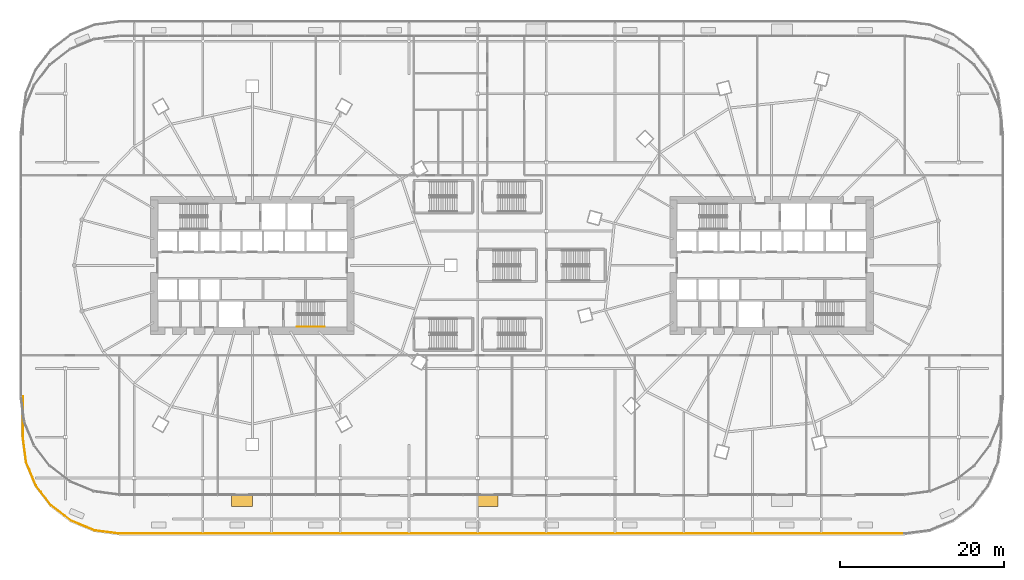
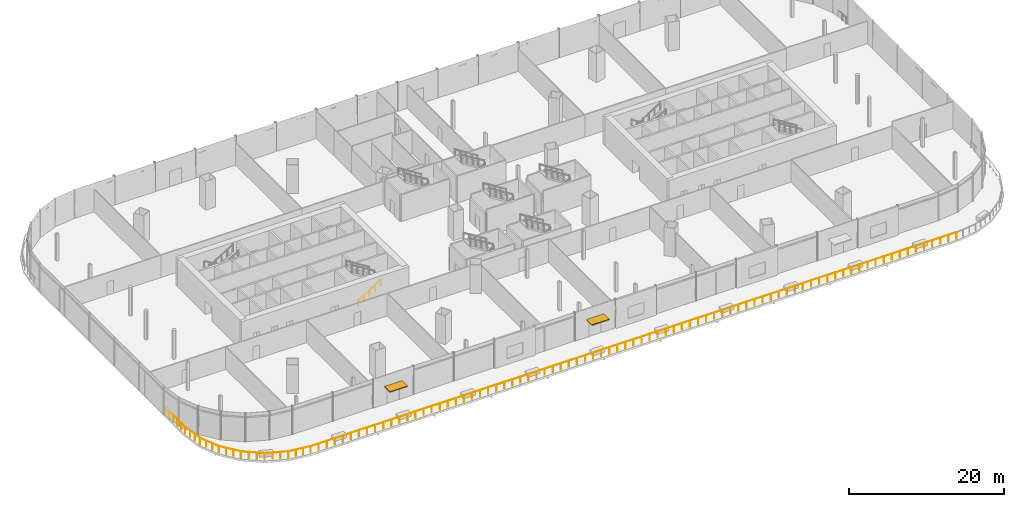
# One storey, part 43 of 52: 3 railings, 2 shading devices.
"""IFC4 building model written with IfcOpenShell, lengths in metres."""

from ifc_helpers import new_model, si_unit, direction, frame, origin, origin_2d, place, context, subcontext, project, spatial, rectangle, circle, extrude, material, layer, layer_set, type_object, element, save


model = new_model("IFC4")

# Units and contexts
model_context = context("Model", 3, precision=1e-05, world=origin(), true_north=direction((0.0, 1.0)))
body_context = subcontext(model_context, "Body", "Model", "MODEL_VIEW")
ifc_project = project(units=[si_unit("LENGTHUNIT", "METRE"), si_unit("AREAUNIT", "SQUARE_METRE"), si_unit("VOLUMEUNIT", "CUBIC_METRE"), si_unit("PLANEANGLEUNIT", "RADIAN"), si_unit("MASSUNIT", "GRAM", prefix="KILO")], contexts=[model_context])

# Site, building, storey
site_placement = place(None, origin())
site = spatial("IfcSite", under=ifc_project, at=site_placement, CompositionType="ELEMENT")
building_placement = place(site_placement, origin())
building = spatial("IfcBuilding", under=site, at=building_placement, Name="Rimbun Link Towers", CompositionType="ELEMENT")
storey_placement = place(building_placement, frame((0.0, 0.0, 21.0)))
storey = spatial("IfcBuildingStorey", under=building, at=storey_placement, Name="L04", CompositionType="ELEMENT", Elevation=21.0)

# Railings
ifc_material_1 = material(Name="Toughened laminated glass, stainless steel grade 316 posts and cap rail", Category="steel")
railing_type_1 = type_object("IfcRailingType", Name="GUARD glass balustrade with stainless cap rail", PredefinedType="BALUSTRADE", material=ifc_material_1)
railing_1_placement = place(storey_placement, frame((-59.800048828125, -16.0, 0.0)))
element("IfcRailing", 1, at=railing_1_placement, inside=storey, type_object=railing_type_1, Name="GUARD glass balustrade", PredefinedType="BALUSTRADE", context=body_context, shape_type="SweptSolid", body=[
    extrude(circle(Radius=0.02392578125, at=origin_2d()), frame((0.0, 0.0, 1.076171875), z_axis=(0.0, -1.0, 0.0), x_axis=(1.0, 0.0, 0.0)), (0.0, 0.0, 1.0), 4.98681640625),
    extrude(circle(Radius=0.02392578125, at=origin_2d()), frame((0.0, -4.98681640625, 1.076171875), z_axis=(0.130540259305, -0.991443009305, 0.0), x_axis=(0.991443009305, 0.130540259305, 0.0)), (0.0, 0.0, 1.0), 3.09326171875),
    extrude(circle(Radius=0.02392578125, at=origin_2d()), frame((0.40380859375, -8.0537109375, 1.076171875), z_axis=(0.382706499462, -0.92386997747, 0.0), x_axis=(0.92386997747, 0.382706499462, 0.0)), (0.0, 0.0, 1.0), 3.079833984375),
    extrude(circle(Radius=0.02392578125, at=origin_2d()), frame((1.58251953125, -10.899169921875, 1.076171875), z_axis=(0.608702762794, -0.793398353015, 0.0), x_axis=(0.793398353015, 0.608702762794, 0.0)), (0.0, 0.0, 1.0), 3.079833984375),
    extrude(circle(Radius=0.02392578125, at=origin_2d()), frame((3.457275390625, -13.3427734375, 1.076171875), z_axis=(0.793398353015, -0.608702762794, 0.0), x_axis=(0.608702762794, 0.793398353015, 0.0)), (0.0, 0.0, 1.0), 3.079833984375),
    extrude(circle(Radius=0.02392578125, at=origin_2d()), frame((5.90087890625, -15.217529296875, 1.076171875), z_axis=(0.92386997747, -0.382706499462, 0.0), x_axis=(0.382706499462, 0.92386997747, 0.0)), (0.0, 0.0, 1.0), 3.079833984375),
    extrude(circle(Radius=0.02392578125, at=origin_2d()), frame((8.746337890625, -16.396240234375, 1.076171875), z_axis=(0.991443009305, -0.130540259305, 0.0), x_axis=(0.130540259305, 0.991443009305, 0.0)), (0.0, 0.0, 1.0), 3.09326171875),
    extrude(circle(Radius=0.02099609375, at=origin_2d()), origin(), (0.0, 0.0, 1.0), 1.052001953125),
    extrude(circle(Radius=0.02099609375, at=origin_2d()), frame((0.0, -0.997314453125, 0.0)), (0.0, 0.0, 1.0), 1.052001953125),
    extrude(circle(Radius=0.02099609375, at=origin_2d()), frame((0.0, -1.99462890625, 0.0)), (0.0, 0.0, 1.0), 1.052001953125),
    extrude(circle(Radius=0.02099609375, at=origin_2d()), frame((0.0, -2.9921875, 0.0)), (0.0, 0.0, 1.0), 1.052001953125),
    extrude(circle(Radius=0.02099609375, at=origin_2d()), frame((0.0, -3.989501953125, 0.0)), (0.0, 0.0, 1.0), 1.052001953125),
    extrude(circle(Radius=0.02099609375, at=origin_2d()), frame((0.0, -4.98681640625, 0.0)), (0.0, 0.0, 1.0), 1.052001953125),
    extrude(circle(Radius=0.02099609375, at=origin_2d()), frame((0.134521484375, -6.009033203125, 0.0)), (0.0, 0.0, 1.0), 1.052001953125),
    extrude(circle(Radius=0.02099609375, at=origin_2d()), frame((0.269287109375, -7.031494140625, 0.0)), (0.0, 0.0, 1.0), 1.052001953125),
    extrude(circle(Radius=0.02099609375, at=origin_2d()), frame((0.40380859375, -8.0537109375, 0.0)), (0.0, 0.0, 1.0), 1.052001953125),
    extrude(circle(Radius=0.02099609375, at=origin_2d()), frame((0.796630859375, -9.002197265625, 0.0)), (0.0, 0.0, 1.0), 1.052001953125),
    extrude(circle(Radius=0.02099609375, at=origin_2d()), frame((1.189697265625, -9.95068359375, 0.0)), (0.0, 0.0, 1.0), 1.052001953125),
    extrude(circle(Radius=0.02099609375, at=origin_2d()), frame((1.58251953125, -10.899169921875, 0.0)), (0.0, 0.0, 1.0), 1.052001953125),
    extrude(circle(Radius=0.02099609375, at=origin_2d()), frame((2.20751953125, -11.713623046875, 0.0)), (0.0, 0.0, 1.0), 1.052001953125),
    extrude(circle(Radius=0.02099609375, at=origin_2d()), frame((2.832275390625, -12.5283203125, 0.0)), (0.0, 0.0, 1.0), 1.052001953125),
    extrude(circle(Radius=0.02099609375, at=origin_2d()), frame((3.457275390625, -13.3427734375, 0.0)), (0.0, 0.0, 1.0), 1.052001953125),
    extrude(circle(Radius=0.02099609375, at=origin_2d()), frame((4.271728515625, -13.9677734375, 0.0)), (0.0, 0.0, 1.0), 1.052001953125),
    extrude(circle(Radius=0.02099609375, at=origin_2d()), frame((5.08642578125, -14.592529296875, 0.0)), (0.0, 0.0, 1.0), 1.052001953125),
    extrude(circle(Radius=0.02099609375, at=origin_2d()), frame((5.90087890625, -15.217529296875, 0.0)), (0.0, 0.0, 1.0), 1.052001953125),
    extrude(circle(Radius=0.02099609375, at=origin_2d()), frame((6.849365234375, -15.6103515625, 0.0)), (0.0, 0.0, 1.0), 1.052001953125),
    extrude(circle(Radius=0.02099609375, at=origin_2d()), frame((7.7978515625, -16.00341796875, 0.0)), (0.0, 0.0, 1.0), 1.052001953125),
    extrude(circle(Radius=0.02099609375, at=origin_2d()), frame((8.746337890625, -16.396240234375, 0.0)), (0.0, 0.0, 1.0), 1.052001953125),
    extrude(circle(Radius=0.02099609375, at=origin_2d()), frame((9.7685546875, -16.53076171875, 0.0)), (0.0, 0.0, 1.0), 1.052001953125),
    extrude(circle(Radius=0.02099609375, at=origin_2d()), frame((10.791015625, -16.66552734375, 0.0)), (0.0, 0.0, 1.0), 1.052001953125),
    extrude(circle(Radius=0.02099609375, at=origin_2d()), frame((11.813232421875, -16.800048828125, 0.0)), (0.0, 0.0, 1.0), 1.052001953125),
])
railing_2_placement = place(storey_placement, frame((-47.98681640625, -32.800048828125, 0.0)))
element("IfcRailing", 2, at=railing_2_placement, inside=storey, type_object=railing_type_1, Name="GUARD glass balustrade", PredefinedType="BALUSTRADE", context=body_context, shape_type="SweptSolid", body=[
    extrude(circle(Radius=0.02392578125, at=origin_2d()), frame((0.0, 0.0, 1.076171875), z_axis=(1.0, 0.0, 0.0), x_axis=(0.0, 1.0, 0.0)), (0.0, 0.0, 1.0), 95.9736328125),
    extrude(circle(Radius=0.02099609375, at=origin_2d()), origin(), (0.0, 0.0, 1.0), 1.052001953125),
    extrude(circle(Radius=0.02099609375, at=origin_2d()), frame((1.19970703125, 0.0, 0.0)), (0.0, 0.0, 1.0), 1.052001953125),
    extrude(circle(Radius=0.02099609375, at=origin_2d()), frame((2.3994140625, 0.0, 0.0)), (0.0, 0.0, 1.0), 1.052001953125),
    extrude(circle(Radius=0.02099609375, at=origin_2d()), frame((3.59912109375, 0.0, 0.0)), (0.0, 0.0, 1.0), 1.052001953125),
    extrude(circle(Radius=0.02099609375, at=origin_2d()), frame((4.798583984375, 0.0, 0.0)), (0.0, 0.0, 1.0), 1.052001953125),
    extrude(circle(Radius=0.02099609375, at=origin_2d()), frame((5.998291015625, 0.0, 0.0)), (0.0, 0.0, 1.0), 1.052001953125),
    extrude(circle(Radius=0.02099609375, at=origin_2d()), frame((7.197998046875, 0.0, 0.0)), (0.0, 0.0, 1.0), 1.052001953125),
    extrude(circle(Radius=0.02099609375, at=origin_2d()), frame((8.397705078125, 0.0, 0.0)), (0.0, 0.0, 1.0), 1.052001953125),
    extrude(circle(Radius=0.02099609375, at=origin_2d()), frame((9.597412109375, 0.0, 0.0)), (0.0, 0.0, 1.0), 1.052001953125),
    extrude(circle(Radius=0.02099609375, at=origin_2d()), frame((10.797119140625, 0.0, 0.0)), (0.0, 0.0, 1.0), 1.052001953125),
    extrude(circle(Radius=0.02099609375, at=origin_2d()), frame((11.99658203125, 0.0, 0.0)), (0.0, 0.0, 1.0), 1.052001953125),
    extrude(circle(Radius=0.02099609375, at=origin_2d()), frame((13.1962890625, 0.0, 0.0)), (0.0, 0.0, 1.0), 1.052001953125),
    extrude(circle(Radius=0.02099609375, at=origin_2d()), frame((14.39599609375, 0.0, 0.0)), (0.0, 0.0, 1.0), 1.052001953125),
    extrude(circle(Radius=0.02099609375, at=origin_2d()), frame((15.595703125, 0.0, 0.0)), (0.0, 0.0, 1.0), 1.052001953125),
    extrude(circle(Radius=0.02099609375, at=origin_2d()), frame((16.79541015625, 0.0, 0.0)), (0.0, 0.0, 1.0), 1.052001953125),
    extrude(circle(Radius=0.02099609375, at=origin_2d()), frame((17.9951171875, 0.0, 0.0)), (0.0, 0.0, 1.0), 1.052001953125),
    extrude(circle(Radius=0.02099609375, at=origin_2d()), frame((19.19482421875, 0.0, 0.0)), (0.0, 0.0, 1.0), 1.052001953125),
    extrude(circle(Radius=0.02099609375, at=origin_2d()), frame((20.394287109375, 0.0, 0.0)), (0.0, 0.0, 1.0), 1.052001953125),
    extrude(circle(Radius=0.02099609375, at=origin_2d()), frame((21.593994140625, 0.0, 0.0)), (0.0, 0.0, 1.0), 1.052001953125),
    extrude(circle(Radius=0.02099609375, at=origin_2d()), frame((22.793701171875, 0.0, 0.0)), (0.0, 0.0, 1.0), 1.052001953125),
    extrude(circle(Radius=0.02099609375, at=origin_2d()), frame((23.993408203125, 0.0, 0.0)), (0.0, 0.0, 1.0), 1.052001953125),
    extrude(circle(Radius=0.02099609375, at=origin_2d()), frame((25.193115234375, 0.0, 0.0)), (0.0, 0.0, 1.0), 1.052001953125),
    extrude(circle(Radius=0.02099609375, at=origin_2d()), frame((26.392822265625, 0.0, 0.0)), (0.0, 0.0, 1.0), 1.052001953125),
    extrude(circle(Radius=0.02099609375, at=origin_2d()), frame((27.592529296875, 0.0, 0.0)), (0.0, 0.0, 1.0), 1.052001953125),
    extrude(circle(Radius=0.02099609375, at=origin_2d()), frame((28.7919921875, 0.0, 0.0)), (0.0, 0.0, 1.0), 1.052001953125),
    extrude(circle(Radius=0.02099609375, at=origin_2d()), frame((29.99169921875, 0.0, 0.0)), (0.0, 0.0, 1.0), 1.052001953125),
    extrude(circle(Radius=0.02099609375, at=origin_2d()), frame((31.19140625, 0.0, 0.0)), (0.0, 0.0, 1.0), 1.052001953125),
    extrude(circle(Radius=0.02099609375, at=origin_2d()), frame((32.39111328125, 0.0, 0.0)), (0.0, 0.0, 1.0), 1.052001953125),
    extrude(circle(Radius=0.02099609375, at=origin_2d()), frame((33.5908203125, 0.0, 0.0)), (0.0, 0.0, 1.0), 1.052001953125),
    extrude(circle(Radius=0.02099609375, at=origin_2d()), frame((34.79052734375, 0.0, 0.0)), (0.0, 0.0, 1.0), 1.052001953125),
    extrude(circle(Radius=0.02099609375, at=origin_2d()), frame((35.990234375, 0.0, 0.0)), (0.0, 0.0, 1.0), 1.052001953125),
    extrude(circle(Radius=0.02099609375, at=origin_2d()), frame((37.189697265625, 0.0, 0.0)), (0.0, 0.0, 1.0), 1.052001953125),
    extrude(circle(Radius=0.02099609375, at=origin_2d()), frame((38.389404296875, 0.0, 0.0)), (0.0, 0.0, 1.0), 1.052001953125),
    extrude(circle(Radius=0.02099609375, at=origin_2d()), frame((39.589111328125, 0.0, 0.0)), (0.0, 0.0, 1.0), 1.052001953125),
    extrude(circle(Radius=0.02099609375, at=origin_2d()), frame((40.788818359375, 0.0, 0.0)), (0.0, 0.0, 1.0), 1.052001953125),
    extrude(circle(Radius=0.02099609375, at=origin_2d()), frame((41.988525390625, 0.0, 0.0)), (0.0, 0.0, 1.0), 1.052001953125),
    extrude(circle(Radius=0.02099609375, at=origin_2d()), frame((43.188232421875, 0.0, 0.0)), (0.0, 0.0, 1.0), 1.052001953125),
    extrude(circle(Radius=0.02099609375, at=origin_2d()), frame((44.3876953125, 0.0, 0.0)), (0.0, 0.0, 1.0), 1.052001953125),
    extrude(circle(Radius=0.02099609375, at=origin_2d()), frame((45.58740234375, 0.0, 0.0)), (0.0, 0.0, 1.0), 1.052001953125),
    extrude(circle(Radius=0.02099609375, at=origin_2d()), frame((46.787109375, 0.0, 0.0)), (0.0, 0.0, 1.0), 1.052001953125),
    extrude(circle(Radius=0.02099609375, at=origin_2d()), frame((47.98681640625, 0.0, 0.0)), (0.0, 0.0, 1.0), 1.052001953125),
    extrude(circle(Radius=0.02099609375, at=origin_2d()), frame((49.1865234375, 0.0, 0.0)), (0.0, 0.0, 1.0), 1.052001953125),
    extrude(circle(Radius=0.02099609375, at=origin_2d()), frame((50.38623046875, 0.0, 0.0)), (0.0, 0.0, 1.0), 1.052001953125),
    extrude(circle(Radius=0.02099609375, at=origin_2d()), frame((51.5859375, 0.0, 0.0)), (0.0, 0.0, 1.0), 1.052001953125),
    extrude(circle(Radius=0.02099609375, at=origin_2d()), frame((52.785400390625, 0.0, 0.0)), (0.0, 0.0, 1.0), 1.052001953125),
    extrude(circle(Radius=0.02099609375, at=origin_2d()), frame((53.985107421875, 0.0, 0.0)), (0.0, 0.0, 1.0), 1.052001953125),
    extrude(circle(Radius=0.02099609375, at=origin_2d()), frame((55.184814453125, 0.0, 0.0)), (0.0, 0.0, 1.0), 1.052001953125),
    extrude(circle(Radius=0.02099609375, at=origin_2d()), frame((56.384521484375, 0.0, 0.0)), (0.0, 0.0, 1.0), 1.052001953125),
    extrude(circle(Radius=0.02099609375, at=origin_2d()), frame((57.584228515625, 0.0, 0.0)), (0.0, 0.0, 1.0), 1.052001953125),
    extrude(circle(Radius=0.02099609375, at=origin_2d()), frame((58.783935546875, 0.0, 0.0)), (0.0, 0.0, 1.0), 1.052001953125),
    extrude(circle(Radius=0.02099609375, at=origin_2d()), frame((59.9833984375, 0.0, 0.0)), (0.0, 0.0, 1.0), 1.052001953125),
    extrude(circle(Radius=0.02099609375, at=origin_2d()), frame((61.18310546875, 0.0, 0.0)), (0.0, 0.0, 1.0), 1.052001953125),
    extrude(circle(Radius=0.02099609375, at=origin_2d()), frame((62.3828125, 0.0, 0.0)), (0.0, 0.0, 1.0), 1.052001953125),
    extrude(circle(Radius=0.02099609375, at=origin_2d()), frame((63.58251953125, 0.0, 0.0)), (0.0, 0.0, 1.0), 1.052001953125),
    extrude(circle(Radius=0.02099609375, at=origin_2d()), frame((64.7822265625, 0.0, 0.0)), (0.0, 0.0, 1.0), 1.052001953125),
    extrude(circle(Radius=0.02099609375, at=origin_2d()), frame((65.98193359375, 0.0, 0.0)), (0.0, 0.0, 1.0), 1.052001953125),
    extrude(circle(Radius=0.02099609375, at=origin_2d()), frame((67.181640625, 0.0, 0.0)), (0.0, 0.0, 1.0), 1.052001953125),
    extrude(circle(Radius=0.02099609375, at=origin_2d()), frame((68.381103515625, 0.0, 0.0)), (0.0, 0.0, 1.0), 1.052001953125),
    extrude(circle(Radius=0.02099609375, at=origin_2d()), frame((69.580810546875, 0.0, 0.0)), (0.0, 0.0, 1.0), 1.052001953125),
    extrude(circle(Radius=0.02099609375, at=origin_2d()), frame((70.780517578125, 0.0, 0.0)), (0.0, 0.0, 1.0), 1.052001953125),
    extrude(circle(Radius=0.02099609375, at=origin_2d()), frame((71.980224609375, 0.0, 0.0)), (0.0, 0.0, 1.0), 1.052001953125),
    extrude(circle(Radius=0.02099609375, at=origin_2d()), frame((73.179931640625, 0.0, 0.0)), (0.0, 0.0, 1.0), 1.052001953125),
    extrude(circle(Radius=0.02099609375, at=origin_2d()), frame((74.379638671875, 0.0, 0.0)), (0.0, 0.0, 1.0), 1.052001953125),
    extrude(circle(Radius=0.02099609375, at=origin_2d()), frame((75.579345703125, 0.0, 0.0)), (0.0, 0.0, 1.0), 1.052001953125),
    extrude(circle(Radius=0.02099609375, at=origin_2d()), frame((76.77880859375, 0.0, 0.0)), (0.0, 0.0, 1.0), 1.052001953125),
    extrude(circle(Radius=0.02099609375, at=origin_2d()), frame((77.978515625, 0.0, 0.0)), (0.0, 0.0, 1.0), 1.052001953125),
    extrude(circle(Radius=0.02099609375, at=origin_2d()), frame((79.17822265625, 0.0, 0.0)), (0.0, 0.0, 1.0), 1.052001953125),
    extrude(circle(Radius=0.02099609375, at=origin_2d()), frame((80.3779296875, 0.0, 0.0)), (0.0, 0.0, 1.0), 1.052001953125),
    extrude(circle(Radius=0.02099609375, at=origin_2d()), frame((81.57763671875, 0.0, 0.0)), (0.0, 0.0, 1.0), 1.052001953125),
    extrude(circle(Radius=0.02099609375, at=origin_2d()), frame((82.77734375, 0.0, 0.0)), (0.0, 0.0, 1.0), 1.052001953125),
    extrude(circle(Radius=0.02099609375, at=origin_2d()), frame((83.97705078125, 0.0, 0.0)), (0.0, 0.0, 1.0), 1.052001953125),
    extrude(circle(Radius=0.02099609375, at=origin_2d()), frame((85.176513671875, 0.0, 0.0)), (0.0, 0.0, 1.0), 1.052001953125),
    extrude(circle(Radius=0.02099609375, at=origin_2d()), frame((86.376220703125, 0.0, 0.0)), (0.0, 0.0, 1.0), 1.052001953125),
    extrude(circle(Radius=0.02099609375, at=origin_2d()), frame((87.575927734375, 0.0, 0.0)), (0.0, 0.0, 1.0), 1.052001953125),
    extrude(circle(Radius=0.02099609375, at=origin_2d()), frame((88.775634765625, 0.0, 0.0)), (0.0, 0.0, 1.0), 1.052001953125),
    extrude(circle(Radius=0.02099609375, at=origin_2d()), frame((89.975341796875, 0.0, 0.0)), (0.0, 0.0, 1.0), 1.052001953125),
    extrude(circle(Radius=0.02099609375, at=origin_2d()), frame((91.175048828125, 0.0, 0.0)), (0.0, 0.0, 1.0), 1.052001953125),
    extrude(circle(Radius=0.02099609375, at=origin_2d()), frame((92.37451171875, 0.0, 0.0)), (0.0, 0.0, 1.0), 1.052001953125),
    extrude(circle(Radius=0.02099609375, at=origin_2d()), frame((93.57421875, 0.0, 0.0)), (0.0, 0.0, 1.0), 1.052001953125),
    extrude(circle(Radius=0.02099609375, at=origin_2d()), frame((94.77392578125, 0.0, 0.0)), (0.0, 0.0, 1.0), 1.052001953125),
    extrude(circle(Radius=0.02099609375, at=origin_2d()), frame((95.9736328125, 0.0, 0.0)), (0.0, 0.0, 1.0), 1.052001953125),
])

# Shading devices
ifc_material_2 = material(Name="Aluminium 6063-T6 louvre blades in a powder-coated aluminium frame", Category="aluminium")
ifc_layer = layer(ifc_material_2, 0.139892578125)
ifc_layer_set = layer_set([ifc_layer], Name="RAIN CANOPY louvre blades 2600X1400")
shading_device_type = type_object("IfcShadingDeviceType", Name="RAIN CANOPY louvre blades 2600X1400", PredefinedType="AWNING", material=ifc_layer_set)
for number, where, z_axis, x_axis, name in (
    (3, (-33.0, -28.800048828125, 2.7001953125), (0.0, 0.0, 1.0), (-1.0, 0.0, 0.0), "RAIN CANOPY over terrace door"),
    (4, (-3.0, -28.800048828125, 2.7001953125), (0.0, 0.0, 1.0), (-1.0, 0.0, 0.0), "RAIN CANOPY over terrace door"),
):
    element("IfcShadingDevice", number, at=place(storey_placement, frame(where, z_axis=z_axis, x_axis=x_axis)), inside=storey, type_object=shading_device_type, Name=name, PredefinedType="AWNING", context=body_context, shape_type="SweptSolid", body=[
        extrude(rectangle(XDim=2.60009765625, YDim=1.39990234375, at=origin_2d()), origin(), (0.0, 0.0, 1.0), 0.139892578125),
    ])

# Railing
ifc_material_3 = material(Name="Stainless steel grade 316", Category="steel")
railing_type_2 = type_object("IfcRailingType", Name="Stair handrail", PredefinedType="HANDRAIL", material=ifc_material_3)
railing_3_placement = place(storey_placement, frame((-26.300048828125, -7.5, 0.173095703125)))
element("IfcRailing", 5, at=railing_3_placement, inside=storey, type_object=railing_type_2, Name="L04 ST2 stair handrail 1", PredefinedType="HANDRAIL", context=body_context, shape_type="SweptSolid", body=[
    extrude(circle(Radius=0.02392578125, at=origin_2d()), frame((0.0, 0.0, 0.8759765625), z_axis=(0.850623216509, 0.0, 0.525775754039), x_axis=(0.0, 1.0, 0.0)), (0.0, 0.0, 1.0), 3.9501953125),
    extrude(circle(Radius=0.02099609375, at=origin_2d()), origin(), (0.0, 0.0, 1.0), 0.851806640625),
    extrude(circle(Radius=0.02099609375, at=origin_2d()), frame((0.840087890625, 0.0, 0.519287109375)), (0.0, 0.0, 1.0), 0.851806640625),
    extrude(circle(Radius=0.02099609375, at=origin_2d()), frame((1.68017578125, 0.0, 1.03857421875)), (0.0, 0.0, 1.0), 0.851806640625),
    extrude(circle(Radius=0.02099609375, at=origin_2d()), frame((2.52001953125, 0.0, 1.5576171875)), (0.0, 0.0, 1.0), 0.851806640625),
    extrude(circle(Radius=0.02099609375, at=origin_2d()), frame((3.360107421875, 0.0, 2.076904296875)), (0.0, 0.0, 1.0), 0.851806640625),
])

save(model, "model.ifc")
